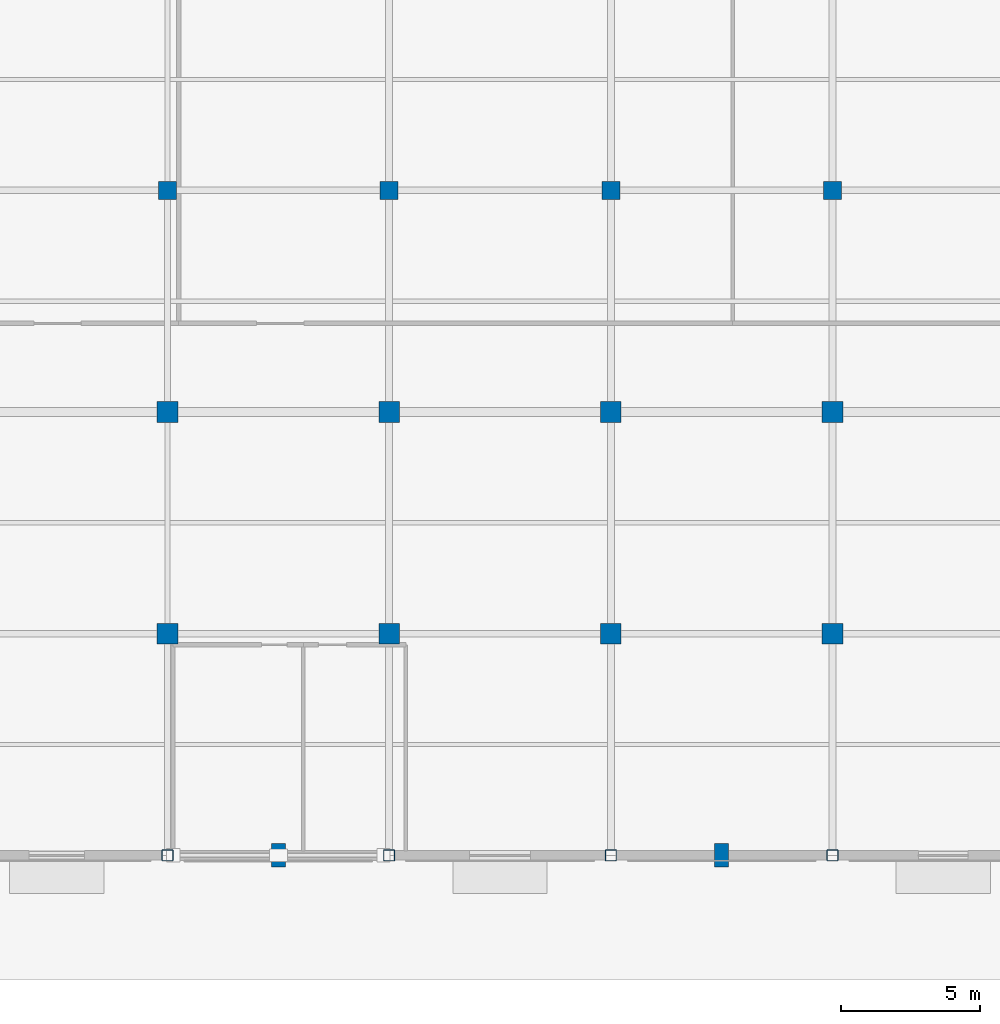
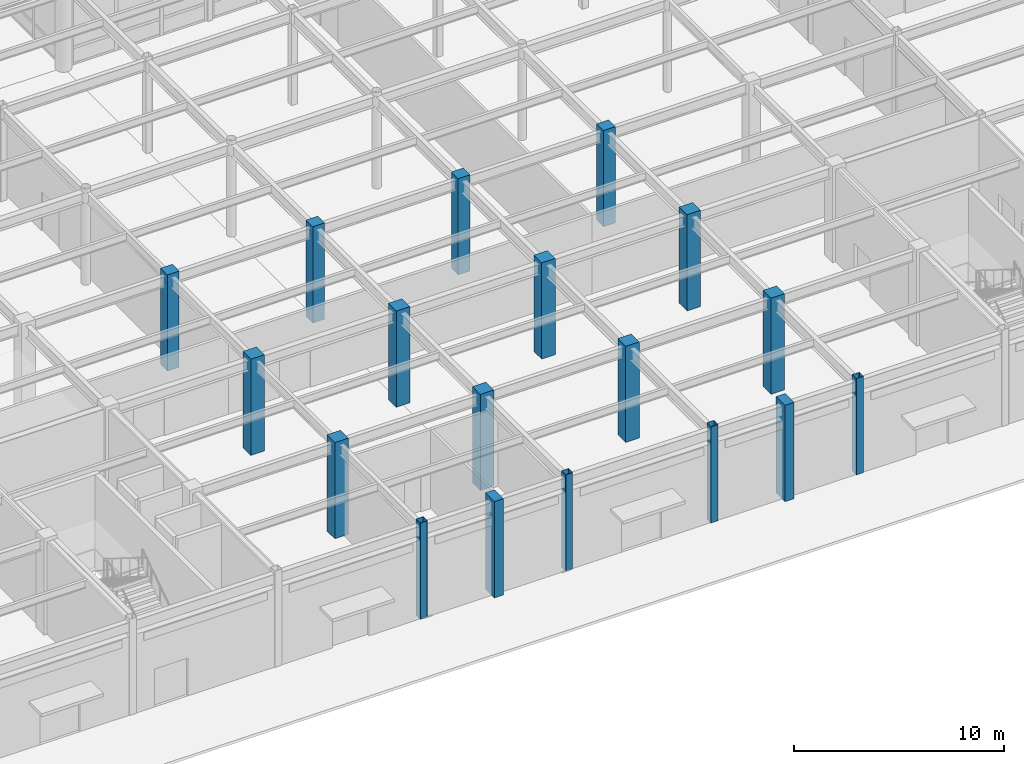
# One storey, part 8 of 128: 18 columns.
"""IFC4 building model written with IfcOpenShell, lengths in metres."""

from ifc_helpers import new_model, si_unit, direction, frame, origin, origin_2d, place, context, subcontext, project, spatial, rectangle, hollow_rectangle, extrude, material, material_profile, profile_set, type_object, element, save


model = new_model("IFC4")

# Units and contexts
model_context = context("Model", 3, precision=1e-05, world=origin(), true_north=direction((0.0, 1.0)))
body_context = subcontext(model_context, "Body", "Model", "MODEL_VIEW")
ifc_project = project(units=[si_unit("LENGTHUNIT", "METRE"), si_unit("AREAUNIT", "SQUARE_METRE"), si_unit("VOLUMEUNIT", "CUBIC_METRE"), si_unit("PLANEANGLEUNIT", "RADIAN"), si_unit("MASSUNIT", "GRAM", prefix="KILO")], contexts=[model_context])

# Site, building, storey
site_placement = place(None, origin())
site = spatial("IfcSite", under=ifc_project, at=site_placement, CompositionType="ELEMENT")
building_placement = place(site_placement, origin())
building = spatial("IfcBuilding", under=site, at=building_placement, Name="Solmirada Galleria", CompositionType="ELEMENT")
storey_placement = place(building_placement, origin())
storey = spatial("IfcBuildingStorey", under=building, at=storey_placement, Name="L00", CompositionType="ELEMENT", Elevation=0.0)

# Columns
ifc_material_1 = material(Name="Steel S355 / ASTM A500 Grade C", Category="steel")
ifc_material_profile_1 = material_profile(ifc_material_1, hollow_rectangle(XDim=0.406005859375, YDim=0.406005859375, WallThickness=0.0146484375, InnerFilletRadius=0.0146484375, OuterFilletRadius=0.029296875, at=origin_2d()), Name="HSS16X16X5/8")
ifc_profile_set_1 = profile_set([ifc_material_profile_1], Name="Steel S355 / ASTM A500 Grade C")
column_type_1 = type_object("IfcColumnType", Name="COL-HSS16", PredefinedType="COLUMN", material=ifc_profile_set_1)
for number, where, z_axis, x_axis, name in (
    (1, (104.0, 0.0, 0.0), (0.0, 0.0, 1.0), (1.0, 0.0, 0.0), "Structural column L00-0693"),
    (2, (112.0, 0.0, 0.0), (0.0, 0.0, 1.0), (1.0, 0.0, 0.0), "Structural column L00-0804"),
    (3, (120.0, 0.0, 0.0), (0.0, 0.0, 1.0), (1.0, 0.0, 0.0), "Structural column L00-0921"),
    (4, (128.0, 0.0, 0.0), (0.0, 0.0, 1.0), (1.0, 0.0, 0.0), "Structural column L00-1004"),
):
    element("IfcColumn", number, at=place(storey_placement, frame(where, z_axis=z_axis, x_axis=x_axis)), inside=storey, type_object=column_type_1, Name=name, PredefinedType="COLUMN", context=body_context, shape_type="SweptSolid", body=[
        extrude(hollow_rectangle(XDim=0.406005859375, YDim=0.406005859375, WallThickness=0.0146484375, InnerFilletRadius=0.0146484375, OuterFilletRadius=0.029296875, at=origin_2d()), origin(), (0.0, 0.0, 1.0), 5.60009765625),
    ])
ifc_material_2 = material(Name="Concrete C40/50", Category="concrete")
ifc_material_profile_2 = material_profile(ifc_material_2, rectangle(XDim=0.64990234375, YDim=0.64990234375, at=origin_2d()), Name="RC650X650")
ifc_profile_set_2 = profile_set([ifc_material_profile_2], Name="Concrete C40/50")
column_type_2 = type_object("IfcColumnType", Name="COL-RC650", PredefinedType="COLUMN", material=ifc_profile_set_2)
for number, where, z_axis, x_axis, name in (
    (5, (104.0, 24.0, 0.0), (0.0, 0.0, 1.0), (1.0, 0.0, 0.0), "Structural column L00-0717"),
    (6, (112.0, 24.0, 0.0), (0.0, 0.0, 1.0), (1.0, 0.0, 0.0), "Structural column L00-0828"),
    (7, (120.0, 24.0, 0.0), (0.0, 0.0, 1.0), (1.0, 0.0, 0.0), "Structural column L00-0945"),
    (8, (128.0, 24.0, 0.0), (0.0, 0.0, 1.0), (1.0, 0.0, 0.0), "Structural column L00-1028"),
):
    element("IfcColumn", number, at=place(storey_placement, frame(where, z_axis=z_axis, x_axis=x_axis)), inside=storey, type_object=column_type_2, Name=name, PredefinedType="COLUMN", context=body_context, shape_type="SweptSolid", body=[
        extrude(rectangle(XDim=0.64990234375, YDim=0.64990234375, at=origin_2d()), origin(), (0.0, 0.0, 1.0), 5.60009765625),
    ])
ifc_material_profile_3 = material_profile(ifc_material_2, rectangle(XDim=0.75, YDim=0.75, at=origin_2d()), Name="RC750X750")
ifc_profile_set_3 = profile_set([ifc_material_profile_3], Name="Concrete C40/50")
column_type_3 = type_object("IfcColumnType", Name="COL-RC750", PredefinedType="COLUMN", material=ifc_profile_set_3)
for number, where, z_axis, x_axis, name in (
    (9, (104.0, 8.0, 0.0), (0.0, 0.0, 1.0), (1.0, 0.0, 0.0), "Structural column L00-0701"),
    (10, (104.0, 16.0, 0.0), (0.0, 0.0, 1.0), (1.0, 0.0, 0.0), "Structural column L00-0709"),
    (11, (112.0, 8.0, 0.0), (0.0, 0.0, 1.0), (1.0, 0.0, 0.0), "Structural column L00-0812"),
    (12, (112.0, 16.0, 0.0), (0.0, 0.0, 1.0), (1.0, 0.0, 0.0), "Structural column L00-0820"),
    (13, (120.0, 8.0, 0.0), (0.0, 0.0, 1.0), (1.0, 0.0, 0.0), "Structural column L00-0929"),
    (14, (120.0, 16.0, 0.0), (0.0, 0.0, 1.0), (1.0, 0.0, 0.0), "Structural column L00-0937"),
    (15, (128.0, 8.0, 0.0), (0.0, 0.0, 1.0), (1.0, 0.0, 0.0), "Structural column L00-1012"),
    (16, (128.0, 16.0, 0.0), (0.0, 0.0, 1.0), (1.0, 0.0, 0.0), "Structural column L00-1020"),
):
    element("IfcColumn", number, at=place(storey_placement, frame(where, z_axis=z_axis, x_axis=x_axis)), inside=storey, type_object=column_type_3, Name=name, PredefinedType="COLUMN", context=body_context, shape_type="SweptSolid", body=[
        extrude(rectangle(XDim=0.75, YDim=0.75, at=origin_2d()), origin(), (0.0, 0.0, 1.0), 5.60009765625),
    ])
ifc_material_3 = material(Name="Precast concrete C40/50", Category="concrete")
ifc_material_profile_4 = material_profile(ifc_material_3, rectangle(XDim=0.5, YDim=0.85009765625, at=origin_2d()), Name="RC850X500")
ifc_profile_set_4 = profile_set([ifc_material_profile_4], Name="Precast concrete C40/50")
column_type_4 = type_object("IfcColumnType", Name="PIL-RC850", PredefinedType="PILASTER", material=ifc_profile_set_4)
for number, where, z_axis, x_axis, name in (
    (17, (108.0, 0.0, 0.0), (0.0, 0.0, 1.0), (1.0, 0.0, 0.0), "Avenue pilaster L00-023"),
    (18, (124.0, 0.0, 0.0), (0.0, 0.0, 1.0), (1.0, 0.0, 0.0), "Avenue pilaster L00-027"),
):
    element("IfcColumn", number, at=place(storey_placement, frame(where, z_axis=z_axis, x_axis=x_axis)), inside=storey, type_object=column_type_4, Name=name, PredefinedType="PILASTER", context=body_context, shape_type="SweptSolid", body=[
        extrude(rectangle(XDim=0.5, YDim=0.85009765625, at=origin_2d()), origin(), (0.0, 0.0, 1.0), 5.60009765625),
    ])

save(model, "model.ifc")
